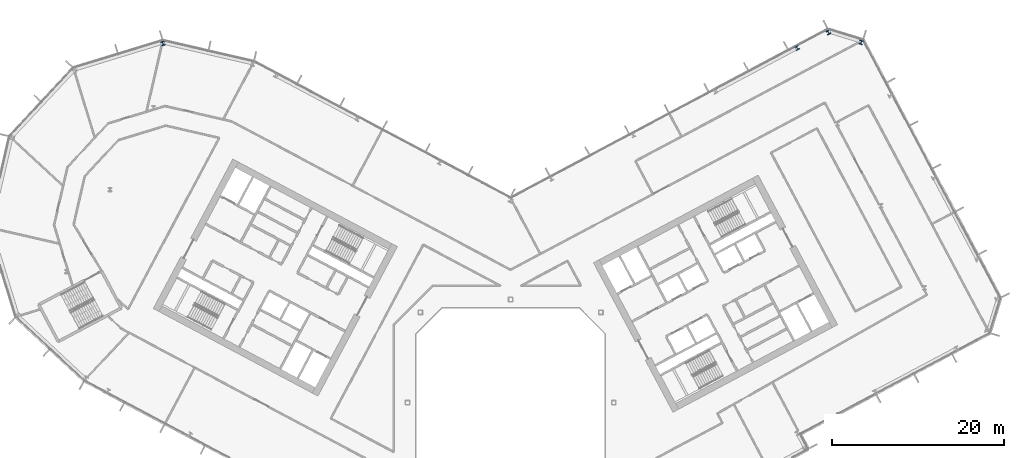
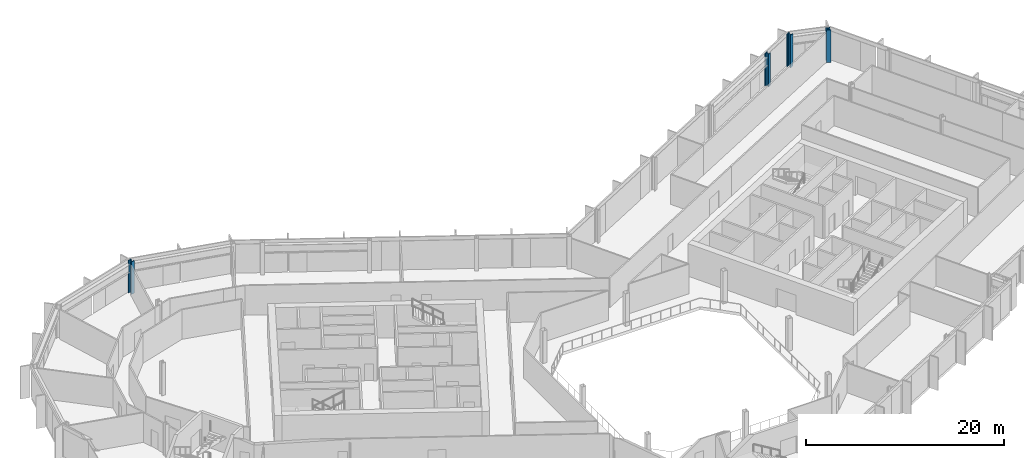
# One storey, part 8 of 28: 4 columns.
"""IFC4 building model written with IfcOpenShell, lengths in metres."""

from ifc_helpers import new_model, si_unit, direction, frame, origin, origin_2d, place, context, subcontext, project, spatial, i_section, extrude, material, material_profile, profile_set, type_object, element, save


model = new_model("IFC4")

# Units and contexts
model_context = context("Model", 3, precision=1e-05, world=origin(), true_north=direction((0.0, 1.0)))
body_context = subcontext(model_context, "Body", "Model", "MODEL_VIEW")
ifc_project = project(units=[si_unit("LENGTHUNIT", "METRE"), si_unit("AREAUNIT", "SQUARE_METRE"), si_unit("VOLUMEUNIT", "CUBIC_METRE"), si_unit("PLANEANGLEUNIT", "RADIAN"), si_unit("MASSUNIT", "GRAM", prefix="KILO")], contexts=[model_context])

# Site, building, storey
site_placement = place(None, origin())
site = spatial("IfcSite", under=ifc_project, at=site_placement, CompositionType="ELEMENT")
building_placement = place(site_placement, origin())
building = spatial("IfcBuilding", under=site, at=building_placement, Name="Cormorant Relay Tower", CompositionType="ELEMENT")
storey_placement = place(building_placement, frame((0.0, 0.0, 142.199951171875)))
storey = spatial("IfcBuildingStorey", under=building, at=storey_placement, Name="L29", CompositionType="ELEMENT", Elevation=142.199951171875)

# Columns
ifc_material_1 = material(Name="Steel ASTM A992 (Fy 345 MPa)", Category="steel")
ifc_material_profile_1 = material_profile(ifc_material_1, i_section(OverallWidth=0.41162109375, OverallDepth=0.434326171875, WebThickness=0.035888671875, FlangeThickness=0.057373046875, FilletRadius=0.01513671875, at=origin_2d()), Name="W360x463")
ifc_profile_set_1 = profile_set([ifc_material_profile_1], Name="Steel ASTM A992 (Fy 345 MPa)")
column_type_1 = type_object("IfcColumnType", Name="Column W360x463", PredefinedType="COLUMN", material=ifc_profile_set_1)
column_placement = place(storey_placement, frame((33.33203125, 41.258056640625, 0.0), z_axis=(0.0, 0.0, 1.0), x_axis=(-0.882947592859, -0.469471562786, 0.0)))
element("IfcColumn", 1, at=column_placement, inside=storey, type_object=column_type_1, Name="Column L29-047", PredefinedType="COLUMN", context=body_context, shape_type="SweptSolid", body=[
    extrude(i_section(OverallWidth=0.41162109375, OverallDepth=0.434326171875, WebThickness=0.035888671875, FlangeThickness=0.057373046875, FilletRadius=0.01513671875, at=origin_2d()), origin(), (0.0, 0.0, 1.0), 4.0),
])
ifc_material_2 = material(Name="Steel ASTM A992 (Fy 345 MPa)", Category="steel")
ifc_material_profile_2 = material_profile(ifc_material_2, i_section(OverallWidth=0.42431640625, OverallDepth=0.47509765625, WebThickness=0.0478515625, FlangeThickness=0.0771484375, FilletRadius=0.014892578125, at=origin_2d()), Name="W360x634")
ifc_profile_set_2 = profile_set([ifc_material_profile_2], Name="Steel ASTM A992 (Fy 345 MPa)")
column_type_2 = type_object("IfcColumnType", Name="Column W360x634", PredefinedType="COLUMN", material=ifc_profile_set_2)
for number, where, z_axis, x_axis, name in (
    (2, (-40.4541015625, 41.783935546875, 0.0), (0.0, 0.0, 1.0), (-0.956304755963, -0.292371704723, 0.0), "Column L29-048"),
    (3, (40.77197265625, 41.9130859375, 0.0), (0.0, 0.0, 1.0), (-0.956304755963, 0.292371704723, 0.0), "Column L29-049"),
    (4, (36.970947265625, 43.075927734375, 0.0), (0.0, 0.0, 1.0), (-0.882947592859, -0.469471562786, 0.0), "Column L29-050"),
):
    element("IfcColumn", number, at=place(storey_placement, frame(where, z_axis=z_axis, x_axis=x_axis)), inside=storey, type_object=column_type_2, Name=name, PredefinedType="COLUMN", context=body_context, shape_type="SweptSolid", body=[
        extrude(i_section(OverallWidth=0.42431640625, OverallDepth=0.47509765625, WebThickness=0.0478515625, FlangeThickness=0.0771484375, FilletRadius=0.014892578125, at=origin_2d()), origin(), (0.0, 0.0, 1.0), 4.0),
    ])

save(model, "model.ifc")
